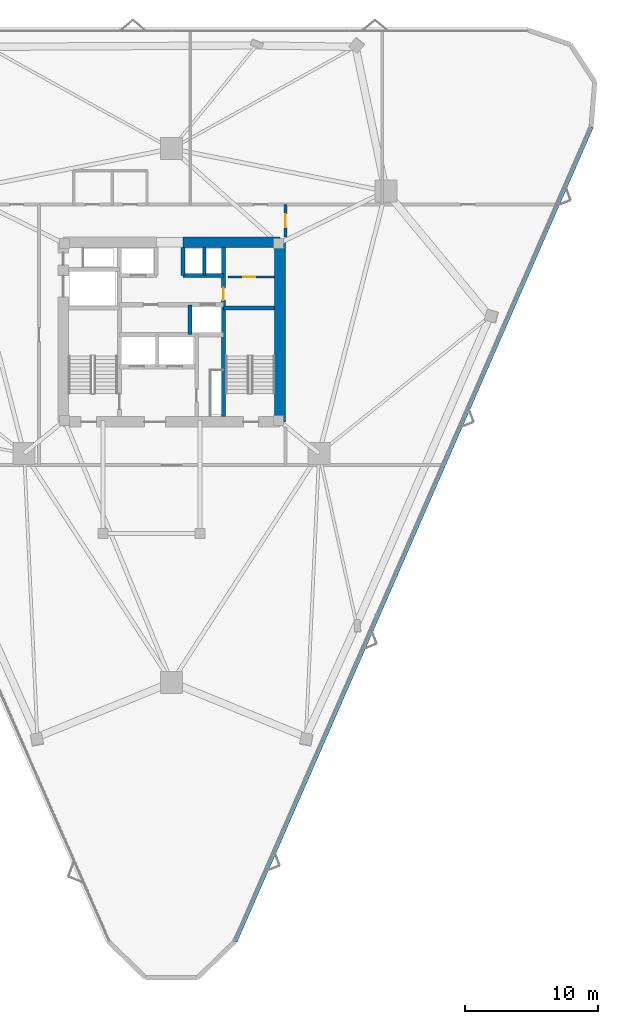
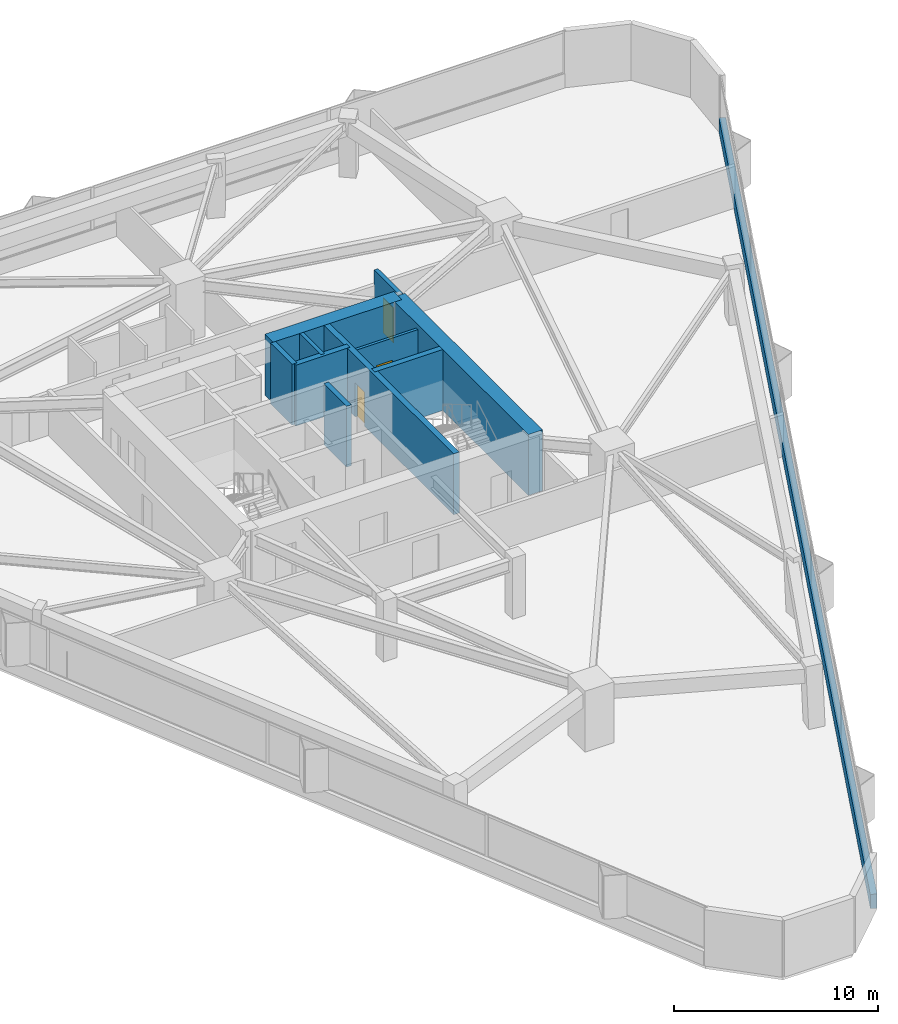
# One storey, part 17 of 19: 11 walls, 3 doors, 3 openings.
"""IFC4 building model written with IfcOpenShell, lengths in metres."""

from ifc_helpers import new_model, si_unit, direction, frame, frame_2d, origin, place, context, subcontext, project, spatial, rectangle, extrude, material, layer, layer_set, type_object, element, fill, save


model = new_model("IFC4")

# Units and contexts
model_context = context("Model", 3, precision=1e-05, world=origin(), true_north=direction((0.0, 1.0)))
body_context = subcontext(model_context, "Body", "Model", "MODEL_VIEW")
ifc_project = project(units=[si_unit("LENGTHUNIT", "METRE"), si_unit("AREAUNIT", "SQUARE_METRE"), si_unit("VOLUMEUNIT", "CUBIC_METRE"), si_unit("PLANEANGLEUNIT", "RADIAN"), si_unit("MASSUNIT", "GRAM", prefix="KILO")], contexts=[model_context])

# Site, building, storey
site_placement = place(None, origin())
site = spatial("IfcSite", under=ifc_project, at=site_placement, CompositionType="ELEMENT")
building_placement = place(site_placement, origin())
building = spatial("IfcBuilding", under=site, at=building_placement, Name="Talyreon Biosciences Tower", CompositionType="ELEMENT")
storey_placement = place(building_placement, frame((0.0, 0.0, 82.300048828125)))
storey = spatial("IfcBuildingStorey", under=building, at=storey_placement, Name="L21", CompositionType="ELEMENT", Elevation=82.300048828125)

# Walls
ifc_material_1 = material(Name="Concrete C50/60", Category="concrete")
ifc_layer_1 = layer(ifc_material_1, 0.219970703125)
ifc_layer_set_1 = layer_set([ifc_layer_1], Name="Concrete C50/60")
wall_type_1 = type_object("IfcWallType", Name="CoreShearWall_220", PredefinedType="SHEAR", material=ifc_layer_set_1)
wall_1_placement = place(storey_placement, frame((68.4599609375, 72.25, 0.0), z_axis=(0.0, 0.0, 1.0), x_axis=(0.0, 1.0, 0.0)))
element("IfcWall", 1, at=wall_1_placement, inside=storey, type_object=wall_type_1, Name="L21 Core Shaft Wall SWPHD", PredefinedType="SHEAR", context=body_context, shape_type="SweptSolid", body=[
    extrude(rectangle(XDim=2.10009765625, YDim=0.219970703125, at=frame_2d((1.050048828125, 0.0))), origin(), (0.0, 0.0, 1.0), 3.64990234375),
])
ifc_layer_2 = layer(ifc_material_1, 0.280029296875)
ifc_layer_set_2 = layer_set([ifc_layer_2], Name="Concrete C50/60")
wall_type_2 = type_object("IfcWallType", Name="CoreShearWall_280", PredefinedType="SHEAR", material=ifc_layer_set_2)
wall_2_placement = place(storey_placement, frame((66.85009765625, 72.25, 0.0), z_axis=(0.0, 0.0, 1.0), x_axis=(0.0, 1.0, 0.0)))
element("IfcWall", 2, at=wall_2_placement, inside=storey, type_object=wall_type_2, Name="L21 Core Shaft Wall SWTHE", PredefinedType="SHEAR", context=body_context, shape_type="SweptSolid", body=[
    extrude(rectangle(XDim=2.10009765625, YDim=0.280029296875, at=frame_2d((1.050048828125, 0.0))), origin(), (0.0, 0.0, 1.0), 3.64990234375),
])
wall_3_placement = place(storey_placement, frame((67.3798828125, 67.800048828125, 0.0), z_axis=(0.0, 0.0, 1.0), x_axis=(0.0, 1.0, 0.0)))
element("IfcWall", 3, at=wall_3_placement, inside=storey, type_object=wall_type_2, Name="L21 Core Shaft Wall SWPMD", PredefinedType="SHEAR", context=body_context, shape_type="SweptSolid", body=[
    extrude(rectangle(XDim=2.25, YDim=0.280029296875, at=frame_2d((1.125, 0.0))), origin(), (0.0, 0.0, 1.0), 3.64990234375),
])

# Wall, opening, door
ifc_layer_3 = layer(ifc_material_1, 0.320068359375)
ifc_layer_set_3 = layer_set([ifc_layer_3], Name="Concrete C50/60")
wall_type_3 = type_object("IfcWallType", Name="CoreShearWall_320", PredefinedType="SHEAR", material=ifc_layer_set_3)
wall_4_placement = place(storey_placement, frame((69.909912109375, 61.64990234375, 0.0), z_axis=(0.0, 0.0, 1.0), x_axis=(0.0, 1.0, 0.0)))
wall_4 = element("IfcWall", 4, at=wall_4_placement, inside=storey, type_object=wall_type_3, Name="L21 Core Shaft Wall SW2W", PredefinedType="SHEAR", context=body_context, shape_type="SweptSolid", body=[
    extrude(rectangle(XDim=12.7001953125, YDim=0.320068359375, at=frame_2d((6.35009765625, 0.0))), origin(), (0.0, 0.0, 1.0), 3.64990234375),
])
opening_1_placement = place(wall_4_placement, frame((8.75, 0.0, 0.0)))
opening_1 = element("IfcOpeningElement", 5, at=opening_1_placement, cuts=wall_4, Name="Opening DR-L21-CSRV", PredefinedType="OPENING", context=body_context, shape_type="SweptSolid", body=[
    extrude(rectangle(XDim=0.919921875, YDim=2.050048828125, at=frame_2d((0.4599609375, 1.02490234375))), frame((0.0, 0.169921875, 0.0), z_axis=(0.0, -1.0, 0.0), x_axis=(1.0, 0.0, 0.0)), (0.0, 0.0, 1.0), 0.340087890625),
])
ifc_material_2 = material(Name="Painted steel fire-rated riser door", Category="steel")
door_type_1 = type_object("IfcDoorType", Name="RiserPlantAccessDoor_920x2050", OperationType="NOTDEFINED", PredefinedType="DOOR", material=ifc_material_2)
door_1_placement = place(opening_1_placement, origin())
door_1 = element("IfcDoor", 6, at=door_1_placement, inside=storey, type_object=door_type_1, Name="L21 Core Door DR-L21-CSRV", OperationType="SINGLE_SWING_RIGHT", OverallHeight=2.050048828125, OverallWidth=0.919921875, PredefinedType="DOOR", context=body_context, shape_type="SweptSolid", body=[
    extrude(rectangle(XDim=0.919921875, YDim=2.050048828125, at=frame_2d((0.4599609375, 1.02490234375))), frame((0.0, 0.02490234375, 0.0), z_axis=(0.0, -1.0, 0.0), x_axis=(1.0, 0.0, 0.0)), (0.0, 0.0, 1.0), 0.050048828125),
])
fill(opening_1, door_1)

# Walls
wall_5_placement = place(storey_placement, frame((69.909912109375, 69.81005859375, 0.0), z_axis=(0.0, 0.0, 1.0), x_axis=(1.0, 0.0, 0.0)))
element("IfcWall", 7, at=wall_5_placement, inside=storey, type_object=wall_type_3, Name="L21 Core Shaft Wall SW2N", PredefinedType="SHEAR", context=body_context, shape_type="SweptSolid", body=[
    extrude(rectangle(XDim=3.840087890625, YDim=0.320068359375, at=frame_2d((1.919921875, 0.0))), origin(), (0.0, 0.0, 1.0), 3.64990234375),
])
wall_6_placement = place(storey_placement, frame((66.85009765625, 72.25, 0.0), z_axis=(0.0, 0.0, 1.0), x_axis=(1.0, 0.0, 0.0)))
element("IfcWall", 8, at=wall_6_placement, inside=storey, type_object=wall_type_3, Name="L21 Core Shaft Wall SWNPE", PredefinedType="SHEAR", context=body_context, shape_type="SweptSolid", body=[
    extrude(rectangle(XDim=3.059814453125, YDim=0.320068359375, at=frame_2d((1.52978515625, 0.0))), origin(), (0.0, 0.0, 1.0), 3.64990234375),
])
ifc_material_3 = material(Name="Concrete C60/75", Category="concrete")
ifc_layer_4 = layer(ifc_material_3, 0.800048828125)
ifc_layer_set_4 = layer_set([ifc_layer_4], Name="Concrete C60/75")
wall_type_4 = type_object("IfcWallType", Name="CoreShearWall_800", PredefinedType="SHEAR", material=ifc_layer_set_4)
wall_7_placement = place(storey_placement, frame((74.14990234375, 61.25, 0.0), z_axis=(0.0, 0.0, 1.0), x_axis=(0.0, 1.0, 0.0)))
element("IfcWall", 9, at=wall_7_placement, inside=storey, type_object=wall_type_4, Name="L21 Core Shear Wall E", PredefinedType="SHEAR", context=body_context, shape_type="SweptSolid", body=[
    extrude(rectangle(XDim=13.5, YDim=0.800048828125, at=frame_2d((6.75, 0.0))), origin(), (0.0, 0.0, 1.0), 3.64990234375),
])
wall_8_placement = place(storey_placement, frame((74.14990234375, 74.75, 0.0), z_axis=(0.0, 0.0, 1.0), x_axis=(-1.0, 0.0, 0.0)))
element("IfcWall", 10, at=wall_8_placement, inside=storey, type_object=wall_type_4, Name="L21 Core Shear Wall NE", PredefinedType="SHEAR", context=body_context, shape_type="SweptSolid", body=[
    extrude(rectangle(XDim=7.2998046875, YDim=0.800048828125, at=frame_2d((3.64990234375, 0.0))), origin(), (0.0, 0.0, 1.0), 3.64990234375),
])

# Wall, opening, door
ifc_material_4 = material(Name="Gypsum fireboard acoustic stud", Category="gypsum")
ifc_layer_5 = layer(ifc_material_4, 0.219970703125)
ifc_layer_set_5 = layer_set([ifc_layer_5], Name="Gypsum fireboard acoustic stud")
wall_type_5 = type_object("IfcWallType", Name="CorridorRatedPartition_220", PredefinedType="PARTITIONING", material=ifc_layer_set_5)
wall_9_placement = place(storey_placement, frame((74.550048828125, 75.14990234375, 0.0), z_axis=(0.0, 0.0, 1.0), x_axis=(0.0, 1.0, 0.0)))
wall_9 = element("IfcWall", 11, at=wall_9_placement, inside=storey, type_object=wall_type_5, Name="L21 Interior Wall IW-L21-ECAP-N", PredefinedType="PARTITIONING", context=body_context, shape_type="SweptSolid", body=[
    extrude(rectangle(XDim=2.43017578125, YDim=0.219970703125, at=frame_2d((1.215087890625, 0.0))), origin(), (0.0, 0.0, 1.0), 3.375),
])
opening_2_placement = place(wall_9_placement, frame((0.715087890625, 0.0, 0.0)))
opening_2 = element("IfcOpeningElement", 12, at=opening_2_placement, cuts=wall_9, Name="Opening DR-L21-E1A", PredefinedType="OPENING", context=body_context, shape_type="SweptSolid", body=[
    extrude(rectangle(XDim=1.0, YDim=2.10009765625, at=frame_2d((0.5, 1.050048828125))), frame((0.0, 0.119873046875, 0.0), z_axis=(0.0, -1.0, 0.0), x_axis=(1.0, 0.0, 0.0)), (0.0, 0.0, 1.0), 0.239990234375),
])
ifc_material_5 = material(Name="Acoustic oak veneer office door", Category="wood")
door_type_2 = type_object("IfcDoorType", Name="WriteupOfficeDoor_1000x2100", OperationType="NOTDEFINED", PredefinedType="DOOR", material=ifc_material_5)
door_2_placement = place(opening_2_placement, origin())
door_2 = element("IfcDoor", 13, at=door_2_placement, inside=storey, type_object=door_type_2, Name="L21 Interior Door DR-L21-E1A", OperationType="SINGLE_SWING_RIGHT", OverallHeight=2.10009765625, OverallWidth=1.0, PredefinedType="DOOR", context=body_context, shape_type="SweptSolid", body=[
    extrude(rectangle(XDim=1.0, YDim=2.10009765625, at=frame_2d((0.5, 1.050048828125))), frame((0.0, 0.02490234375, 0.0), z_axis=(0.0, -1.0, 0.0), x_axis=(1.0, 0.0, 0.0)), (0.0, 0.0, 1.0), 0.050048828125),
])
fill(opening_2, door_2)

ifc_material_6 = material(Name="Gypsum acoustic stud partition", Category="gypsum")
ifc_layer_6 = layer(ifc_material_6, 0.159912109375)
ifc_layer_set_6 = layer_set([ifc_layer_6], Name="Gypsum acoustic stud partition")
wall_type_6 = type_object("IfcWallType", Name="LabSeparationPartition_160", PredefinedType="PARTITIONING", material=ifc_layer_set_6)
wall_10_placement = place(storey_placement, frame((70.22998046875, 72.14990234375, 0.0), z_axis=(0.0, 0.0, 1.0), x_axis=(1.0, 0.0, 0.0)))
wall_10 = element("IfcWall", 14, at=wall_10_placement, inside=storey, type_object=wall_type_6, Name="L21 Interior Wall IW-L21-CSRV-H", PredefinedType="PARTITIONING", context=body_context, shape_type="SweptSolid", body=[
    extrude(rectangle(XDim=3.52001953125, YDim=0.159912109375, at=frame_2d((1.760009765625, 0.0))), origin(), (0.0, 0.0, 1.0), 3.375),
])
opening_3_placement = place(wall_10_placement, frame((1.14990234375, 0.0, 0.0)))
opening_3 = element("IfcOpeningElement", 15, at=opening_3_placement, cuts=wall_10, Name="Opening DR-L21-CSRV-I", PredefinedType="OPENING", context=body_context, shape_type="SweptSolid", body=[
    extrude(rectangle(XDim=0.919921875, YDim=2.050048828125, at=frame_2d((0.4599609375, 1.02490234375))), frame((0.0, 0.08984375, 0.0), z_axis=(0.0, -1.0, 0.0), x_axis=(1.0, 0.0, 0.0)), (0.0, 0.0, 1.0), 0.179931640625),
])
door_3_placement = place(opening_3_placement, origin())
door_3 = element("IfcDoor", 16, at=door_3_placement, inside=storey, type_object=door_type_1, Name="L21 Interior Door DR-L21-CSRV-I", OperationType="SINGLE_SWING_LEFT", OverallHeight=2.050048828125, OverallWidth=0.919921875, PredefinedType="DOOR", context=body_context, shape_type="SweptSolid", body=[
    extrude(rectangle(XDim=0.919921875, YDim=2.050048828125, at=frame_2d((0.4599609375, 1.02490234375))), frame((0.0, 0.02490234375, 0.0), z_axis=(0.0, -1.0, 0.0), x_axis=(1.0, 0.0, 0.0)), (0.0, 0.0, 1.0), 0.050048828125),
])
fill(opening_3, door_3)

# Wall
ifc_material_7 = material(Name="Precast concrete C45/55", Category="concrete")
ifc_layer_7 = layer(ifc_material_7, 0.340087890625)
ifc_layer_set_7 = layer_set([ifc_layer_7], Name="Precast concrete C45/55")
wall_type_7 = type_object("IfcWallType", Name="PrecastConcreteSpandrelWall_340", PredefinedType="STANDARD", material=ifc_layer_set_7)
wall_11_placement = place(storey_placement, frame((97.548828125, 83.436767578125, 0.0), z_axis=(0.0, 0.0, 1.0), x_axis=(-0.400686629733, -0.916215162914, 0.0)))
element("IfcWall", 17, at=wall_11_placement, inside=storey, type_object=wall_type_7, Name="L21 Expressed Concrete Sill Wall 08", PredefinedType="STANDARD", context=body_context, shape_type="SweptSolid", body=[
    extrude(rectangle(XDim=66.84619140625, YDim=0.340087890625, at=frame_2d((33.423095703125, 0.0))), origin(), (0.0, 0.0, 1.0), 0.849853515625),
])

save(model, "model.ifc")
